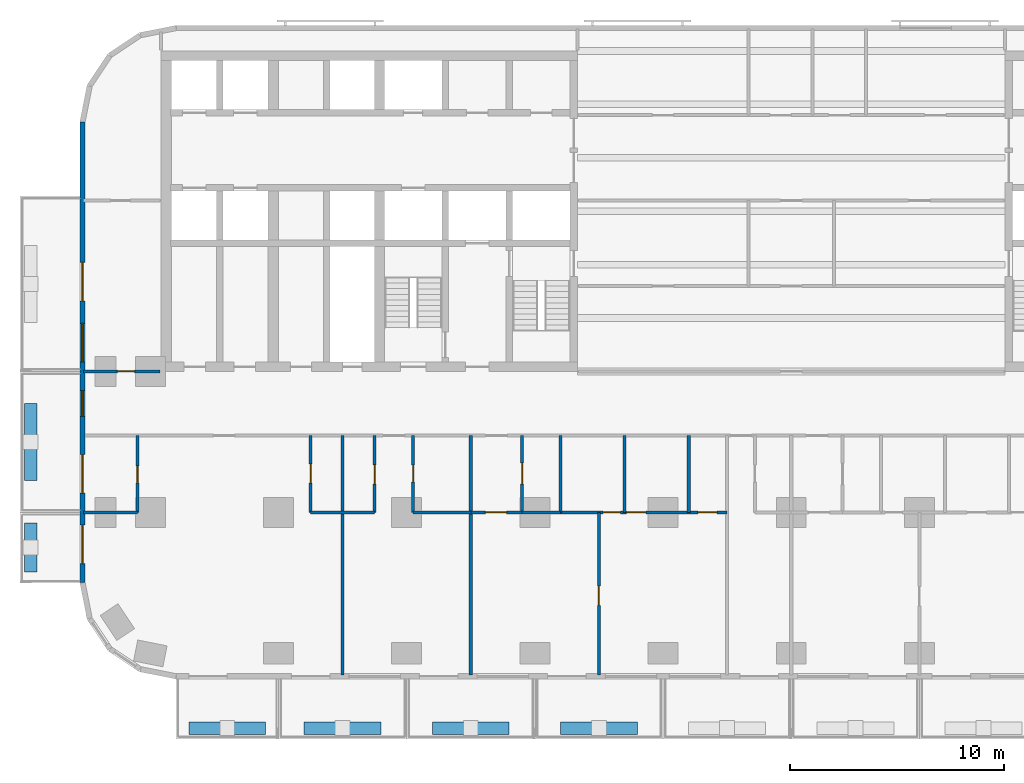
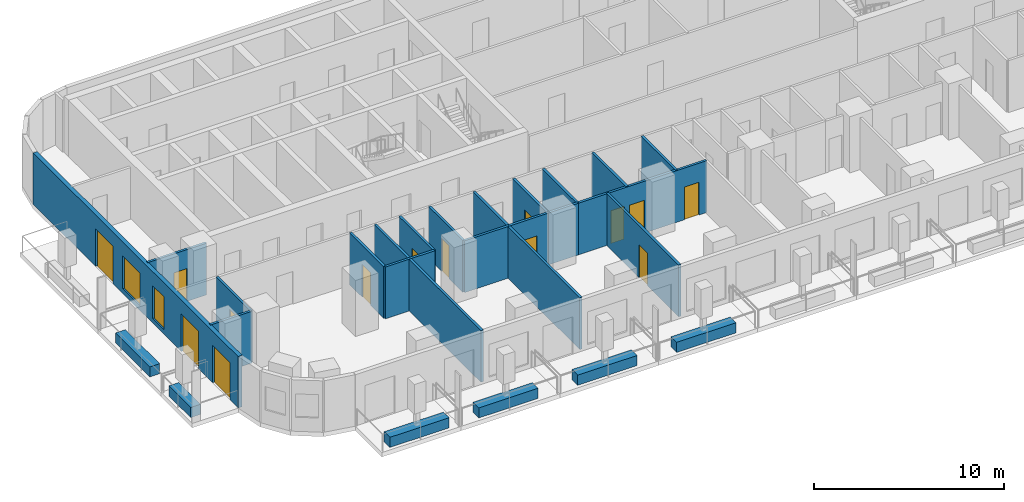
# One storey, part 2 of 14: 26 walls, 14 doors, 2 windows, 16 openings.
"""IFC4 building model written with IfcOpenShell, lengths in metres."""

import ifcopenshell
import ifcopenshell.guid

model = None  # the IFC model being written
_history = None  # IfcOwnerHistory: only IFC2X3 demands one
_inside = {}  # id of a spatial element -> (the spatial element, [elements in it])
_under = {}  # id of a project, library or spatial element -> (it, [spatial elements below it])
_declared = {}  # id of a project -> (the project, [libraries it declares])
_typed = {}  # id of a type object -> (the type object, [elements of that type])
_made_of = {}  # id of a material, layer set ... -> (it, [elements and type objects made of it])


def new_model(schema):
    """Start an empty IFC model of exactly this schema.

    Asked for "IFC4X3", IfcOpenShell would pick the latest addendum, in which some entities
    have other attributes; the version numbers below select the first issue.
    IFC2X3 requires an IfcOwnerHistory on every rooted entity: one is made here for all.
    """
    global model, _history
    if schema == "IFC4X3":
        model = ifcopenshell.file(schema_version=(4, 3, 0, 0))
    else:
        model = ifcopenshell.file(schema=schema)
    _inside.clear()
    _under.clear()
    _declared.clear()
    _typed.clear()
    _made_of.clear()
    _history = None
    if model.schema == "IFC2X3":
        org = make("IfcOrganization", Name="unknown")
        user = make(
            "IfcPersonAndOrganization",
            ThePerson=make("IfcPerson", FamilyName="unknown"),
            TheOrganization=org,
        )
        app = make(
            "IfcApplication",
            ApplicationDeveloper=org,
            Version="unknown",
            ApplicationFullName="unknown",
            ApplicationIdentifier="unknown",
        )
        _history = make(
            "IfcOwnerHistory",
            OwningUser=user,
            OwningApplication=app,
            ChangeAction="ADDED",
            CreationDate=0,
        )
    return model


def make(cls, **values):
    """One entity of the class cls with the attributes given. An attribute that is None is left unset."""
    return model.create_entity(
        cls, **{name: value for name, value in values.items() if value is not None}
    )


def rooted(cls, **values):
    """An entity with a GlobalId (a new one), such as an element, a storey or a relation."""
    return make(cls, GlobalId=ifcopenshell.guid.new(), OwnerHistory=_history, **values)


def si_unit(unit_type, name, prefix=None):
    """IfcSIUnit, for example si_unit("LENGTHUNIT", "METRE", prefix="MILLI")."""
    return make("IfcSIUnit", UnitType=unit_type, Prefix=prefix, Name=name)


def assignment(units):
    """IfcUnitAssignment: the units of a project."""
    return None if units is None else make("IfcUnitAssignment", Units=units)


def point(xyz):
    """IfcCartesianPoint."""
    return None if xyz is None else make("IfcCartesianPoint", Coordinates=xyz)


def direction(xyz):
    """IfcDirection."""
    return None if xyz is None else make("IfcDirection", DirectionRatios=xyz)


def frame(location, z_axis=None, x_axis=None):
    """IfcAxis2Placement3D, a coordinate frame: its origin and axes. An axis left out is left unset."""
    return make(
        "IfcAxis2Placement3D",
        Location=point(location),
        Axis=direction(z_axis),
        RefDirection=direction(x_axis),
    )


def frame_2d(location, x_axis=None):
    """IfcAxis2Placement2D, a coordinate frame in the plane: its origin and x axis."""
    return make(
        "IfcAxis2Placement2D", Location=point(location), RefDirection=direction(x_axis)
    )


def origin():
    """The frame at (0, 0, 0) with its axes left unset."""
    return frame((0.0, 0.0, 0.0))


def place(relative_to, where):
    """IfcLocalPlacement: puts the frame where relative to a parent placement (None: the world)."""
    return make(
        "IfcLocalPlacement", PlacementRelTo=relative_to, RelativePlacement=where
    )


def context(
    kind, dimensions, precision=None, world=None, true_north=None, identifier=None
):
    """IfcGeometricRepresentationContext, for example the 3D "Model" context."""
    return make(
        "IfcGeometricRepresentationContext",
        ContextIdentifier=identifier,
        ContextType=kind,
        CoordinateSpaceDimension=dimensions,
        Precision=precision,
        WorldCoordinateSystem=world,
        TrueNorth=true_north,
    )


def subcontext(parent, identifier, kind, view, scale=None):
    """IfcGeometricRepresentationSubContext, for example "Body" below "Model"."""
    return make(
        "IfcGeometricRepresentationSubContext",
        ContextIdentifier=identifier,
        ContextType=kind,
        ParentContext=parent,
        TargetScale=scale,
        TargetView=view,
    )


def project(units=None, contexts=None):
    """IfcProject with its units and contexts."""
    return rooted(
        "IfcProject",
        Name="project",
        RepresentationContexts=contexts,
        UnitsInContext=assignment(units),
    )


def spatial(cls, under=None, at=None, **own):
    """A site, building, storey or space (cls), placed at a placement, below another one or the project."""
    s = rooted(cls, ObjectPlacement=at, **own)
    if under is not None:
        _under.setdefault(under.id(), (under, []))[1].append(s)
    return s


def profile(cls, at=None, kind="AREA", **sizes):
    """A parametric profile (cls). Its sizes go by their IFC names, for example OverallWidth=200.0."""
    return make(cls, ProfileType=kind, Position=at, **sizes)


def rectangle(**sizes):
    """IfcRectangleProfileDef."""
    return profile("IfcRectangleProfileDef", **sizes)


def extrude(swept, where, along, depth):
    """IfcExtrudedAreaSolid: the profile swept, set in the frame where, extruded along a direction by depth."""
    return make(
        "IfcExtrudedAreaSolid",
        SweptArea=swept,
        Position=where,
        ExtrudedDirection=direction(along),
        Depth=depth,
    )


def shape(context_of_items, identifier, shape_type, items):
    """IfcShapeRepresentation: the items that make up one representation, for example the "Body"."""
    return make(
        "IfcShapeRepresentation",
        ContextOfItems=context_of_items,
        RepresentationIdentifier=identifier,
        RepresentationType=shape_type,
        Items=items,
    )


def material(Name=None, Category=None):
    """IfcMaterial."""
    return make("IfcMaterial", Name=Name, Category=Category)


def layer(
    of_material, thickness, ventilated=None, Name=None, Category=None, Priority=None
):
    """IfcMaterialLayer: one layer of a wall or slab, of a material (None: an air gap)."""
    return make(
        "IfcMaterialLayer",
        Material=of_material,
        LayerThickness=thickness,
        IsVentilated=ventilated,
        Name=Name,
        Category=Category,
        Priority=Priority,
    )


def layer_set(layers, Name=None):
    """IfcMaterialLayerSet."""
    return make("IfcMaterialLayerSet", MaterialLayers=layers, LayerSetName=Name)


def made_of(thing, what):
    """Note that an element or type object is made of a material, layer set ...; save() writes the relation."""
    if what is not None:
        _made_of.setdefault(what.id(), (what, []))[1].append(thing)
    return thing


def type_object(cls, material=None, **own):
    """A type object (cls), such as IfcWallType, which elements share."""
    return made_of(rooted(cls, **own), material)


def element(
    cls,
    number,
    at=None,
    inside=None,
    cuts=None,
    type_object=None,
    material=None,
    context=None,
    identifier="Body",
    shape_type=None,
    held_by="IfcProductDefinitionShape",
    body=None,
    shapes=None,
    **own,
):
    """One element of the class cls, such as IfcWall. Its Tag is "e" and its number.

    at: its placement. inside: the storey or other place that contains it. cuts: it is an
    opening in that element (IfcRelVoidsElement). A single representation is given by context,
    identifier, shape_type and body (its items); several are given by shapes. held_by: the class
    of the entity that holds the representations. save() writes the other relations.
    """
    e = rooted(cls, Tag="e%d" % number, ObjectPlacement=at, **own)
    if body is not None:
        shapes = [shape(context, identifier, shape_type, body)]
    if shapes is not None:
        e.Representation = make(held_by, Representations=shapes)
    if inside is not None:
        _inside.setdefault(inside.id(), (inside, []))[1].append(e)
    if cuts is not None:
        rooted(
            "IfcRelVoidsElement", RelatingBuildingElement=cuts, RelatedOpeningElement=e
        )
    if type_object is not None:
        _typed.setdefault(type_object.id(), (type_object, []))[1].append(e)
    return made_of(e, material)


def fill(opening, filler):
    """IfcRelFillsElement: the door or window that sits in an opening."""
    return rooted(
        "IfcRelFillsElement",
        RelatingOpeningElement=opening,
        RelatedBuildingElement=filler,
    )


def aggregate(whole, parts):
    """IfcRelAggregates: a whole, such as a stair, and the parts it consists of."""
    return rooted("IfcRelAggregates", RelatingObject=whole, RelatedObjects=parts)


def save(model, path):
    """Write the relations noted so far, then the file.

    IfcRelAggregates (storeys below a building ...), IfcRelContainedInSpatialStructure (elements
    in a storey), IfcRelDefinesByType, IfcRelAssociatesMaterial and IfcRelDeclares: one each for
    every whole, place, type object, material and project.
    """
    for whole, parts in _under.values():
        aggregate(whole, parts)
    for where, things in _inside.values():
        rooted(
            "IfcRelContainedInSpatialStructure",
            RelatedElements=things,
            RelatingStructure=where,
        )
    for kind, things in _typed.values():
        rooted("IfcRelDefinesByType", RelatedObjects=things, RelatingType=kind)
    for what, things in _made_of.values():
        rooted("IfcRelAssociatesMaterial", RelatedObjects=things, RelatingMaterial=what)
    for by, libraries in _declared.values():
        rooted("IfcRelDeclares", RelatingContext=by, RelatedDefinitions=libraries)
    model.write(path)


model = new_model("IFC4")

# Units and contexts
model_context = context("Model", 3, precision=1e-05, world=origin(), true_north=direction((0.0, 1.0)))
body_context = subcontext(model_context, "Body", "Model", "MODEL_VIEW")
ifc_project = project(units=[si_unit("LENGTHUNIT", "METRE"), si_unit("AREAUNIT", "SQUARE_METRE"), si_unit("VOLUMEUNIT", "CUBIC_METRE"), si_unit("PLANEANGLEUNIT", "RADIAN"), si_unit("MASSUNIT", "GRAM", prefix="KILO")], contexts=[model_context])

# Site, building, storey
site_placement = place(None, origin())
site = spatial("IfcSite", under=ifc_project, at=site_placement, CompositionType="ELEMENT")
building_placement = place(site_placement, origin())
building = spatial("IfcBuilding", under=site, at=building_placement, Name="Torana Hotel and Residences", CompositionType="ELEMENT")
storey_placement = place(building_placement, frame((0.0, 0.0, 103.199951171875)))
storey = spatial("IfcBuildingStorey", under=building, at=storey_placement, Name="L26", CompositionType="ELEMENT", Elevation=103.199951171875)

# Wall, openings, doors, windows
ifc_material_1 = material(Name="Black aluminium composite panel", Category="aluminium")
ifc_layer_1 = layer(ifc_material_1, 0.00390625, Name="Cladding", Category="cladding")
ifc_material_2 = material(Name="Ventilated air cavity")
ifc_layer_2 = layer(ifc_material_2, 0.0400390625, Name="Ventilated cavity", Category="cavity")
ifc_material_3 = material(Name="Mineral wool insulation")
ifc_layer_3 = layer(ifc_material_3, 0.090087890625, Name="Insulation", Category="insulation")
ifc_material_4 = material(Name="Steel S280GD", Category="steel")
ifc_layer_4 = layer(ifc_material_4, 0.092041015625, Name="Steel stud frame", Category="structure")
ifc_material_5 = material(Name="Fire rated plasterboard")
ifc_layer_5 = layer(ifc_material_5, 0.011962890625, Name="Inner board", Category="finish")
ifc_layer_6 = layer(ifc_material_5, 0.011962890625, Name="Second board", Category="finish")
ifc_layer_set_1 = layer_set([ifc_layer_1, ifc_layer_2, ifc_layer_3, ifc_layer_4, ifc_layer_5, ifc_layer_6], Name="EW1 EXTERNAL WALL BLACK METAL CLAD 250")
wall_type_1 = type_object("IfcWallType", Name="EW1 EXTERNAL WALL BLACK METAL CLAD 250", PredefinedType="SOLIDWALL", material=ifc_layer_set_1)
wall_1_placement = place(storey_placement, frame((-33.175048828125, -3.32470703125, 0.0), z_axis=(0.0, 0.0, 1.0), x_axis=(0.0, -1.0, 0.0)))
wall_1 = element("IfcWall", 1, at=wall_1_placement, inside=storey, type_object=wall_type_1, Name="External wall L26 e0.9", PredefinedType="SOLIDWALL", context=body_context, shape_type="SweptSolid", body=[
    extrude(rectangle(XDim=21.55078125, YDim=0.25, at=frame_2d((10.775390625, 0.0))), origin(), (0.0, 0.0, 1.0), 3.300048828125),
])
opening_1_placement = place(wall_1_placement, frame((6.575439453125, 0.0, 0.0)))
opening_1 = element("IfcOpeningElement", 2, at=opening_1_placement, cuts=wall_1, Name="Opening L26-E14", PredefinedType="OPENING", context=body_context, shape_type="SweptSolid", body=[
    extrude(rectangle(XDim=1.800048828125, YDim=2.39990234375, at=frame_2d((0.89990234375, 1.199951171875))), frame((0.0, 0.135009765625, 0.0), z_axis=(0.0, -1.0, 0.0), x_axis=(1.0, 0.0, 0.0)), (0.0, 0.0, 1.0), 0.27001953125),
])
opening_2_placement = place(wall_1_placement, frame((9.42529296875, 0.0, 0.300048828125)))
opening_2 = element("IfcOpeningElement", 3, at=opening_2_placement, cuts=wall_1, Name="Opening W2", PredefinedType="OPENING", context=body_context, shape_type="SweptSolid", body=[
    extrude(rectangle(XDim=1.800048828125, YDim=2.10009765625, at=frame_2d((0.89990234375, 1.050048828125))), frame((0.0, 0.135009765625, 0.0), z_axis=(0.0, -1.0, 0.0), x_axis=(1.0, 0.0, 0.0)), (0.0, 0.0, 1.0), 0.27001953125),
])
opening_3_placement = place(wall_1_placement, frame((12.575439453125, 0.0, 0.300048828125)))
opening_3 = element("IfcOpeningElement", 4, at=opening_3_placement, cuts=wall_1, Name="Opening W7", PredefinedType="OPENING", context=body_context, shape_type="SweptSolid", body=[
    extrude(rectangle(XDim=1.199951171875, YDim=2.10009765625, at=frame_2d((0.60009765625, 1.050048828125))), frame((0.0, 0.135009765625, 0.0), z_axis=(0.0, -1.0, 0.0), x_axis=(1.0, 0.0, 0.0)), (0.0, 0.0, 1.0), 0.27001953125),
])
opening_4_placement = place(wall_1_placement, frame((15.575439453125, 0.0, 0.0)))
opening_4 = element("IfcOpeningElement", 5, at=opening_4_placement, cuts=wall_1, Name="Opening L26-E15", PredefinedType="OPENING", context=body_context, shape_type="SweptSolid", body=[
    extrude(rectangle(XDim=1.800048828125, YDim=2.39990234375, at=frame_2d((0.89990234375, 1.199951171875))), frame((0.0, 0.135009765625, 0.0), z_axis=(0.0, -1.0, 0.0), x_axis=(1.0, 0.0, 0.0)), (0.0, 0.0, 1.0), 0.27001953125),
])
opening_5_placement = place(wall_1_placement, frame((18.87548828125, 0.0, 0.0)))
opening_5 = element("IfcOpeningElement", 6, at=opening_5_placement, cuts=wall_1, Name="Opening L26-E16", PredefinedType="OPENING", context=body_context, shape_type="SweptSolid", body=[
    extrude(rectangle(XDim=1.800048828125, YDim=2.39990234375, at=frame_2d((0.89990234375, 1.199951171875))), frame((0.0, 0.135009765625, 0.0), z_axis=(0.0, -1.0, 0.0), x_axis=(1.0, 0.0, 0.0)), (0.0, 0.0, 1.0), 0.27001953125),
])
ifc_material_6 = material(Name="Dark glass in black aluminium frame", Category="aluminium")
door_type_1 = type_object("IfcDoorType", Name="DB1 BALCONY DOOR 1800x2400", OperationType="DOUBLE_DOOR_SINGLE_SWING", PredefinedType="DOOR", material=ifc_material_6)
door_1_placement = place(opening_1_placement, origin())
door_1 = element("IfcDoor", 7, at=door_1_placement, inside=storey, type_object=door_type_1, Name="Balcony door L26", OperationType="DOUBLE_DOOR_SINGLE_SWING", OverallHeight=2.39990234375, OverallWidth=1.800048828125, PredefinedType="DOOR", context=body_context, shape_type="SweptSolid", body=[
    extrude(rectangle(XDim=1.800048828125, YDim=2.39990234375, at=frame_2d((0.89990234375, 1.199951171875))), frame((0.0, 0.02490234375, 0.0), z_axis=(0.0, -1.0, 0.0), x_axis=(1.0, 0.0, 0.0)), (0.0, 0.0, 1.0), 0.050048828125),
])
fill(opening_1, door_1)
door_2_placement = place(opening_4_placement, origin())
door_2 = element("IfcDoor", 8, at=door_2_placement, inside=storey, type_object=door_type_1, Name="Balcony door L26", OperationType="DOUBLE_DOOR_SINGLE_SWING", OverallHeight=2.39990234375, OverallWidth=1.800048828125, PredefinedType="DOOR", context=body_context, shape_type="SweptSolid", body=[
    extrude(rectangle(XDim=1.800048828125, YDim=2.39990234375, at=frame_2d((0.89990234375, 1.199951171875))), frame((0.0, 0.02490234375, 0.0), z_axis=(0.0, -1.0, 0.0), x_axis=(1.0, 0.0, 0.0)), (0.0, 0.0, 1.0), 0.050048828125),
])
fill(opening_4, door_2)
door_3_placement = place(opening_5_placement, frame((0.89990234375, 0.0, 0.0), z_axis=(0.0, 0.0, 1.0), x_axis=(-1.0, 0.0, 0.0)))
door_3 = element("IfcDoor", 9, at=door_3_placement, inside=storey, type_object=door_type_1, Name="Balcony door L26", OperationType="DOUBLE_DOOR_SINGLE_SWING", OverallHeight=2.39990234375, OverallWidth=1.800048828125, PredefinedType="DOOR", context=body_context, shape_type="SweptSolid", body=[
    extrude(rectangle(XDim=1.800048828125, YDim=2.39990234375, at=frame_2d((0.0, 1.199951171875))), frame((0.0, -0.02490234375, 0.0), z_axis=(0.0, 1.0, 0.0), x_axis=(-1.0, 0.0, 0.0)), (0.0, 0.0, 1.0), 0.050048828125),
])
fill(opening_5, door_3)
ifc_material_7 = material(Name="Dark glass in black aluminium frame", Category="aluminium")
window_type_1 = type_object("IfcWindowType", Name="W2 HOTEL ROOM WINDOW NARROW 1800x2100", PartitioningType="SINGLE_PANEL", PredefinedType="WINDOW", material=ifc_material_7)
window_1_placement = place(opening_2_placement, origin())
window_1 = element("IfcWindow", 10, at=window_1_placement, inside=storey, type_object=window_type_1, Name="Window L26", OverallHeight=2.10009765625, OverallWidth=1.800048828125, PartitioningType="SINGLE_PANEL", PredefinedType="WINDOW", context=body_context, shape_type="SweptSolid", body=[
    extrude(rectangle(XDim=1.800048828125, YDim=2.10009765625, at=frame_2d((0.89990234375, 1.050048828125))), frame((0.0, 0.030029296875, 0.0), z_axis=(0.0, -1.0, 0.0), x_axis=(1.0, 0.0, 0.0)), (0.0, 0.0, 1.0), 0.06005859375),
])
fill(opening_2, window_1)
ifc_material_8 = material(Name="Dark glass in black aluminium frame", Category="aluminium")
window_type_2 = type_object("IfcWindowType", Name="W7 HOTEL CORRIDOR WINDOW 1200x2100", PartitioningType="SINGLE_PANEL", PredefinedType="WINDOW", material=ifc_material_8)
window_2_placement = place(opening_3_placement, origin())
window_2 = element("IfcWindow", 11, at=window_2_placement, inside=storey, type_object=window_type_2, Name="Window L26", OverallHeight=2.10009765625, OverallWidth=1.199951171875, PartitioningType="SINGLE_PANEL", PredefinedType="WINDOW", context=body_context, shape_type="SweptSolid", body=[
    extrude(rectangle(XDim=1.199951171875, YDim=2.10009765625, at=frame_2d((0.60009765625, 1.050048828125))), frame((0.0, 0.030029296875, 0.0), z_axis=(0.0, -1.0, 0.0), x_axis=(1.0, 0.0, 0.0)), (0.0, 0.0, 1.0), 0.06005859375),
])
fill(opening_3, window_2)

# Wall, opening, door
ifc_material_9 = material(Name="Gypsum plaster")
ifc_layer_7 = layer(ifc_material_9, 0.014892578125, Name="Plaster", Category="finish")
ifc_material_10 = material(Name="Concrete blockwork", Category="masonry")
ifc_layer_8 = layer(ifc_material_10, 0.1201171875, Name="Blockwork", Category="structure")
ifc_layer_9 = layer(ifc_material_9, 0.014892578125, Name="Plaster", Category="finish")
ifc_layer_set_2 = layer_set([ifc_layer_7, ifc_layer_8, ifc_layer_9], Name="FIRE PARTITION 150 BLOCKWORK")
wall_type_2 = type_object("IfcWallType", Name="FIRE PARTITION 150 BLOCKWORK", PredefinedType="PARTITIONING", material=ifc_layer_set_2)
wall_2_placement = place(storey_placement, frame((-12.60009765625, -21.60009765625, 0.0), z_axis=(0.0, 0.0, 1.0), x_axis=(0.0, 1.0, 0.0)))
wall_2 = element("IfcWall", 12, at=wall_2_placement, inside=storey, type_object=wall_type_2, Name="Partition L26", PredefinedType="PARTITIONING", context=body_context, shape_type="SweptSolid", body=[
    extrude(rectangle(XDim=3.60009765625, YDim=0.14990234375, at=frame_2d((1.800048828125, 0.0))), origin(), (0.0, 0.0, 1.0), 3.320068359375),
])
opening_6_placement = place(wall_2_placement, frame((1.320068359375, 0.0, 0.0)))
opening_6 = element("IfcOpeningElement", 13, at=opening_6_placement, cuts=wall_2, Name="Opening L26-49", PredefinedType="OPENING", context=body_context, shape_type="SweptSolid", body=[
    extrude(rectangle(XDim=1.0, YDim=2.10009765625, at=frame_2d((0.5, 1.050048828125))), frame((0.0, 0.0849609375, 0.0), z_axis=(0.0, -1.0, 0.0), x_axis=(1.0, 0.0, 0.0)), (0.0, 0.0, 1.0), 0.169921875),
])
ifc_material_11 = material(Name="Steel S235", Category="steel")
door_type_2 = type_object("IfcDoorType", Name="ENTRY FIRE DOOR D6 1000x2100", OperationType="SINGLE_SWING_LEFT", PredefinedType="DOOR", material=ifc_material_11)
door_4_placement = place(opening_6_placement, frame((0.5, 0.0, 0.0), z_axis=(0.0, 0.0, 1.0), x_axis=(-1.0, 0.0, 0.0)))
door_4 = element("IfcDoor", 14, at=door_4_placement, inside=storey, type_object=door_type_2, Name="Door L26", OperationType="SINGLE_SWING_LEFT", OverallHeight=2.10009765625, OverallWidth=1.0, PredefinedType="DOOR", context=body_context, shape_type="SweptSolid", body=[
    extrude(rectangle(XDim=1.0, YDim=2.10009765625, at=frame_2d((0.0, 1.050048828125))), frame((0.0, -0.02490234375, 0.0), z_axis=(0.0, 1.0, 0.0), x_axis=(-1.0, 0.0, 0.0)), (0.0, 0.0, 1.0), 0.050048828125),
])
fill(opening_6, door_4)

# Wall
wall_3_placement = place(storey_placement, frame((-15.0, -21.60009765625, 0.0), z_axis=(0.0, 0.0, 1.0), x_axis=(0.0, 1.0, 0.0)))
element("IfcWall", 15, at=wall_3_placement, inside=storey, type_object=wall_type_2, Name="Partition L26", PredefinedType="PARTITIONING", context=body_context, shape_type="SweptSolid", body=[
    extrude(rectangle(XDim=3.60009765625, YDim=0.14990234375, at=frame_2d((1.800048828125, 0.0))), origin(), (0.0, 0.0, 1.0), 3.320068359375),
])

# Wall, opening, door
wall_4_placement = place(storey_placement, frame((-15.0, -21.60009765625, 0.0), z_axis=(0.0, 0.0, 1.0), x_axis=(1.0, 0.0, 0.0)))
wall_4 = element("IfcWall", 16, at=wall_4_placement, inside=storey, type_object=wall_type_2, Name="Partition L26", PredefinedType="PARTITIONING", context=body_context, shape_type="SweptSolid", body=[
    extrude(rectangle(XDim=2.39990234375, YDim=0.14990234375, at=frame_2d((1.199951171875, 0.0))), origin(), (0.0, 0.0, 1.0), 3.320068359375),
])
opening_7_placement = place(wall_4_placement, frame((0.679931640625, 0.0, 0.0)))
opening_7 = element("IfcOpeningElement", 17, at=opening_7_placement, cuts=wall_4, Name="Opening L26-50", PredefinedType="OPENING", context=body_context, shape_type="SweptSolid", body=[
    extrude(rectangle(XDim=1.0, YDim=2.10009765625, at=frame_2d((0.5, 1.050048828125))), frame((0.0, 0.0849609375, 0.0), z_axis=(0.0, -1.0, 0.0), x_axis=(1.0, 0.0, 0.0)), (0.0, 0.0, 1.0), 0.169921875),
])
door_5_placement = place(opening_7_placement, frame((0.5, 0.0, 0.0), z_axis=(0.0, 0.0, 1.0), x_axis=(-1.0, 0.0, 0.0)))
door_5 = element("IfcDoor", 18, at=door_5_placement, inside=storey, type_object=door_type_2, Name="Door L26", OperationType="SINGLE_SWING_LEFT", OverallHeight=2.10009765625, OverallWidth=1.0, PredefinedType="DOOR", context=body_context, shape_type="SweptSolid", body=[
    extrude(rectangle(XDim=1.0, YDim=2.10009765625, at=frame_2d((0.0, 1.050048828125))), frame((0.0, -0.02490234375, 0.0), z_axis=(0.0, 1.0, 0.0), x_axis=(-1.0, 0.0, 0.0)), (0.0, 0.0, 1.0), 0.050048828125),
])
fill(opening_7, door_5)

wall_5_placement = place(storey_placement, frame((-33.1201171875, -15.0, 0.0), z_axis=(0.0, 0.0, 1.0), x_axis=(1.0, 0.0, 0.0)))
wall_5 = element("IfcWall", 19, at=wall_5_placement, inside=storey, type_object=wall_type_2, Name="Partition L26", PredefinedType="PARTITIONING", context=body_context, shape_type="SweptSolid", body=[
    extrude(rectangle(XDim=3.570068359375, YDim=0.14990234375, at=frame_2d((1.78515625, 0.0))), origin(), (0.0, 0.0, 1.0), 3.320068359375),
])
opening_8_placement = place(wall_5_placement, frame((1.580078125, 0.0, 0.0)))
opening_8 = element("IfcOpeningElement", 20, at=opening_8_placement, cuts=wall_5, Name="Opening L26-37", PredefinedType="OPENING", context=body_context, shape_type="SweptSolid", body=[
    extrude(rectangle(XDim=0.800048828125, YDim=2.10009765625, at=frame_2d((0.39990234375, 1.050048828125))), frame((0.0, 0.0849609375, 0.0), z_axis=(0.0, -1.0, 0.0), x_axis=(1.0, 0.0, 0.0)), (0.0, 0.0, 1.0), 0.169921875),
])
ifc_material_12 = material(Name="Steel S235", Category="steel")
door_type_3 = type_object("IfcDoorType", Name="STORE FIRE DOOR D16 800x2100", OperationType="SINGLE_SWING_LEFT", PredefinedType="DOOR", material=ifc_material_12)
door_6_placement = place(opening_8_placement, origin())
door_6 = element("IfcDoor", 21, at=door_6_placement, inside=storey, type_object=door_type_3, Name="Door L26", OperationType="SINGLE_SWING_RIGHT", OverallHeight=2.10009765625, OverallWidth=0.800048828125, PredefinedType="DOOR", context=body_context, shape_type="SweptSolid", body=[
    extrude(rectangle(XDim=0.800048828125, YDim=2.10009765625, at=frame_2d((0.39990234375, 1.050048828125))), frame((0.0, 0.02490234375, 0.0), z_axis=(0.0, -1.0, 0.0), x_axis=(1.0, 0.0, 0.0)), (0.0, 0.0, 1.0), 0.050048828125),
])
fill(opening_8, door_6)

# Walls
ifc_material_13 = material(Name="Gypsum plasterboard")
ifc_layer_10 = layer(ifc_material_13, 0.012451171875, Name="Plasterboard", Category="finish")
ifc_layer_11 = layer(ifc_material_13, 0.012451171875, Name="Plasterboard", Category="finish")
ifc_layer_12 = layer(ifc_material_4, 0.10009765625, Name="Steel studs with mineral wool", Category="insulation")
ifc_layer_13 = layer(ifc_material_13, 0.012451171875, Name="Plasterboard", Category="finish")
ifc_layer_14 = layer(ifc_material_13, 0.012451171875, Name="Plasterboard", Category="finish")
ifc_layer_set_3 = layer_set([ifc_layer_10, ifc_layer_11, ifc_layer_12, ifc_layer_13, ifc_layer_14], Name="PARTITION 150 PLASTERBOARD")
wall_type_3 = type_object("IfcWallType", Name="PARTITION 150 PLASTERBOARD", PredefinedType="PARTITIONING", material=ifc_layer_set_3)
for number, where, z_axis, x_axis, name in (
    (22, (-4.800048828125, -21.60009765625, 0.0), (0.0, 0.0, 1.0), (0.0, 1.0, 0.0), "Partition L26"),
    (23, (-7.800048828125, -21.60009765625, 0.0), (0.0, 0.0, 1.0), (0.0, 1.0, 0.0), "Partition L26"),
):
    element("IfcWall", number, at=place(storey_placement, frame(where, z_axis=z_axis, x_axis=x_axis)), inside=storey, type_object=wall_type_3, Name=name, PredefinedType="PARTITIONING", context=body_context, shape_type="SweptSolid", body=[
        extrude(rectangle(XDim=3.60009765625, YDim=0.14990234375, at=frame_2d((1.800048828125, 0.0))), origin(), (0.0, 0.0, 1.0), 3.320068359375),
    ])

# Wall, opening, door
wall_6_placement = place(storey_placement, frame((-9.0, -29.219970703125, 0.0), z_axis=(0.0, 0.0, 1.0), x_axis=(0.0, 1.0, 0.0)))
wall_6 = element("IfcWall", 24, at=wall_6_placement, inside=storey, type_object=wall_type_3, Name="Partition L26", PredefinedType="PARTITIONING", context=body_context, shape_type="SweptSolid", body=[
    extrude(rectangle(XDim=7.619873046875, YDim=0.14990234375, at=frame_2d((3.81005859375, 0.0))), origin(), (0.0, 0.0, 1.0), 3.320068359375),
])
opening_9_placement = place(wall_6_placement, frame((3.27001953125, 0.0, 0.0)))
opening_9 = element("IfcOpeningElement", 25, at=opening_9_placement, cuts=wall_6, Name="Opening L26-54", PredefinedType="OPENING", context=body_context, shape_type="SweptSolid", body=[
    extrude(rectangle(XDim=0.89990234375, YDim=2.10009765625, at=frame_2d((0.449951171875, 1.050048828125))), frame((0.0, 0.0849609375, 0.0), z_axis=(0.0, -1.0, 0.0), x_axis=(1.0, 0.0, 0.0)), (0.0, 0.0, 1.0), 0.169921875),
])
ifc_material_14 = material(Name="Timber door, oiled ash", Category="wood")
door_type_4 = type_object("IfcDoorType", Name="ROOM DOOR D7 900x2100", OperationType="SINGLE_SWING_LEFT", PredefinedType="DOOR", material=ifc_material_14)
door_7_placement = place(opening_9_placement, origin())
door_7 = element("IfcDoor", 26, at=door_7_placement, inside=storey, type_object=door_type_4, Name="Door L26", OperationType="SINGLE_SWING_RIGHT", OverallHeight=2.10009765625, OverallWidth=0.89990234375, PredefinedType="DOOR", context=body_context, shape_type="SweptSolid", body=[
    extrude(rectangle(XDim=0.89990234375, YDim=2.10009765625, at=frame_2d((0.449951171875, 1.050048828125))), frame((0.0, 0.02490234375, 0.0), z_axis=(0.0, -1.0, 0.0), x_axis=(1.0, 0.0, 0.0)), (0.0, 0.0, 1.0), 0.050048828125),
])
fill(opening_9, door_7)

# Wall
wall_7_placement = place(storey_placement, frame((-15.0, -29.219970703125, 0.0), z_axis=(0.0, 0.0, 1.0), x_axis=(0.0, 1.0, 0.0)))
element("IfcWall", 27, at=wall_7_placement, inside=storey, type_object=wall_type_3, Name="Partition L26", PredefinedType="PARTITIONING", context=body_context, shape_type="SweptSolid", body=[
    extrude(rectangle(XDim=7.619873046875, YDim=0.14990234375, at=frame_2d((3.81005859375, 0.0))), origin(), (0.0, 0.0, 1.0), 3.320068359375),
])

# Wall, opening, door
wall_8_placement = place(storey_placement, frame((-17.699951171875, -21.60009765625, 0.0), z_axis=(0.0, 0.0, 1.0), x_axis=(0.0, 1.0, 0.0)))
wall_8 = element("IfcWall", 28, at=wall_8_placement, inside=storey, type_object=wall_type_3, Name="Partition L26", PredefinedType="PARTITIONING", context=body_context, shape_type="SweptSolid", body=[
    extrude(rectangle(XDim=3.60009765625, YDim=0.14990234375, at=frame_2d((1.800048828125, 0.0))), origin(), (0.0, 0.0, 1.0), 3.320068359375),
])
opening_10_placement = place(wall_8_placement, frame((1.419921875, 0.0, 0.0)))
opening_10 = element("IfcOpeningElement", 29, at=opening_10_placement, cuts=wall_8, Name="Opening L26-48", PredefinedType="OPENING", context=body_context, shape_type="SweptSolid", body=[
    extrude(rectangle(XDim=0.800048828125, YDim=2.10009765625, at=frame_2d((0.39990234375, 1.050048828125))), frame((0.0, 0.0849609375, 0.0), z_axis=(0.0, -1.0, 0.0), x_axis=(1.0, 0.0, 0.0)), (0.0, 0.0, 1.0), 0.169921875),
])
ifc_material_15 = material(Name="Timber door, painted", Category="wood")
door_type_5 = type_object("IfcDoorType", Name="BATH DOOR D13 800x2100", OperationType="SINGLE_SWING_LEFT", PredefinedType="DOOR", material=ifc_material_15)
door_8_placement = place(opening_10_placement, origin())
door_8 = element("IfcDoor", 30, at=door_8_placement, inside=storey, type_object=door_type_5, Name="Door L26", OperationType="SINGLE_SWING_RIGHT", OverallHeight=2.10009765625, OverallWidth=0.800048828125, PredefinedType="DOOR", context=body_context, shape_type="SweptSolid", body=[
    extrude(rectangle(XDim=0.800048828125, YDim=2.10009765625, at=frame_2d((0.39990234375, 1.050048828125))), frame((0.0, 0.02490234375, 0.0), z_axis=(0.0, -1.0, 0.0), x_axis=(1.0, 0.0, 0.0)), (0.0, 0.0, 1.0), 0.050048828125),
])
fill(opening_10, door_8)

wall_9_placement = place(storey_placement, frame((-19.5, -21.60009765625, 0.0), z_axis=(0.0, 0.0, 1.0), x_axis=(0.0, 1.0, 0.0)))
wall_9 = element("IfcWall", 31, at=wall_9_placement, inside=storey, type_object=wall_type_3, Name="Partition L26", PredefinedType="PARTITIONING", context=body_context, shape_type="SweptSolid", body=[
    extrude(rectangle(XDim=3.60009765625, YDim=0.14990234375, at=frame_2d((1.800048828125, 0.0))), origin(), (0.0, 0.0, 1.0), 3.320068359375),
])
opening_11_placement = place(wall_9_placement, frame((1.330078125, 0.0, 0.0)))
opening_11 = element("IfcOpeningElement", 32, at=opening_11_placement, cuts=wall_9, Name="Opening L26-47", PredefinedType="OPENING", context=body_context, shape_type="SweptSolid", body=[
    extrude(rectangle(XDim=0.89990234375, YDim=2.10009765625, at=frame_2d((0.449951171875, 1.050048828125))), frame((0.0, 0.0849609375, 0.0), z_axis=(0.0, -1.0, 0.0), x_axis=(1.0, 0.0, 0.0)), (0.0, 0.0, 1.0), 0.169921875),
])
door_9_placement = place(opening_11_placement, origin())
door_9 = element("IfcDoor", 33, at=door_9_placement, inside=storey, type_object=door_type_4, Name="Door L26", OperationType="SINGLE_SWING_RIGHT", OverallHeight=2.10009765625, OverallWidth=0.89990234375, PredefinedType="DOOR", context=body_context, shape_type="SweptSolid", body=[
    extrude(rectangle(XDim=0.89990234375, YDim=2.10009765625, at=frame_2d((0.449951171875, 1.050048828125))), frame((0.0, 0.02490234375, 0.0), z_axis=(0.0, -1.0, 0.0), x_axis=(1.0, 0.0, 0.0)), (0.0, 0.0, 1.0), 0.050048828125),
])
fill(opening_11, door_9)

# Wall
wall_10_placement = place(storey_placement, frame((-21.0, -29.219970703125, 0.0), z_axis=(0.0, 0.0, 1.0), x_axis=(0.0, 1.0, 0.0)))
element("IfcWall", 34, at=wall_10_placement, inside=storey, type_object=wall_type_3, Name="Partition L26", PredefinedType="PARTITIONING", context=body_context, shape_type="SweptSolid", body=[
    extrude(rectangle(XDim=11.219970703125, YDim=0.14990234375, at=frame_2d((5.60986328125, 0.0))), origin(), (0.0, 0.0, 1.0), 3.320068359375),
])

# Wall, opening, door
wall_11_placement = place(storey_placement, frame((-22.5, -21.60009765625, 0.0), z_axis=(0.0, 0.0, 1.0), x_axis=(0.0, 1.0, 0.0)))
wall_11 = element("IfcWall", 35, at=wall_11_placement, inside=storey, type_object=wall_type_3, Name="Partition L26", PredefinedType="PARTITIONING", context=body_context, shape_type="SweptSolid", body=[
    extrude(rectangle(XDim=3.60009765625, YDim=0.14990234375, at=frame_2d((1.800048828125, 0.0))), origin(), (0.0, 0.0, 1.0), 3.320068359375),
])
opening_12_placement = place(wall_11_placement, frame((1.3701171875, 0.0, 0.0)))
opening_12 = element("IfcOpeningElement", 36, at=opening_12_placement, cuts=wall_11, Name="Opening L26-63", PredefinedType="OPENING", context=body_context, shape_type="SweptSolid", body=[
    extrude(rectangle(XDim=0.89990234375, YDim=2.10009765625, at=frame_2d((0.449951171875, 1.050048828125))), frame((0.0, 0.0849609375, 0.0), z_axis=(0.0, -1.0, 0.0), x_axis=(1.0, 0.0, 0.0)), (0.0, 0.0, 1.0), 0.169921875),
])
door_10_placement = place(opening_12_placement, origin())
door_10 = element("IfcDoor", 37, at=door_10_placement, inside=storey, type_object=door_type_4, Name="Door L26", OperationType="SINGLE_SWING_LEFT", OverallHeight=2.10009765625, OverallWidth=0.89990234375, PredefinedType="DOOR", context=body_context, shape_type="SweptSolid", body=[
    extrude(rectangle(XDim=0.89990234375, YDim=2.10009765625, at=frame_2d((0.449951171875, 1.050048828125))), frame((0.0, 0.02490234375, 0.0), z_axis=(0.0, -1.0, 0.0), x_axis=(1.0, 0.0, 0.0)), (0.0, 0.0, 1.0), 0.050048828125),
])
fill(opening_12, door_10)

wall_12_placement = place(storey_placement, frame((-30.60009765625, -21.60009765625, 0.0), z_axis=(0.0, 0.0, 1.0), x_axis=(0.0, 1.0, 0.0)))
wall_12 = element("IfcWall", 38, at=wall_12_placement, inside=storey, type_object=wall_type_3, Name="Partition L26", PredefinedType="PARTITIONING", context=body_context, shape_type="SweptSolid", body=[
    extrude(rectangle(XDim=3.60009765625, YDim=0.14990234375, at=frame_2d((1.800048828125, 0.0))), origin(), (0.0, 0.0, 1.0), 3.320068359375),
])
opening_13_placement = place(wall_12_placement, frame((1.3798828125, 0.0, 0.0)))
opening_13 = element("IfcOpeningElement", 39, at=opening_13_placement, cuts=wall_12, Name="Opening L26-64", PredefinedType="OPENING", context=body_context, shape_type="SweptSolid", body=[
    extrude(rectangle(XDim=0.800048828125, YDim=2.10009765625, at=frame_2d((0.39990234375, 1.050048828125))), frame((0.0, 0.0849609375, 0.0), z_axis=(0.0, -1.0, 0.0), x_axis=(1.0, 0.0, 0.0)), (0.0, 0.0, 1.0), 0.169921875),
])
door_11_placement = place(opening_13_placement, origin())
door_11 = element("IfcDoor", 40, at=door_11_placement, inside=storey, type_object=door_type_5, Name="Door L26", OperationType="SINGLE_SWING_RIGHT", OverallHeight=2.10009765625, OverallWidth=0.800048828125, PredefinedType="DOOR", context=body_context, shape_type="SweptSolid", body=[
    extrude(rectangle(XDim=0.800048828125, YDim=2.10009765625, at=frame_2d((0.39990234375, 1.050048828125))), frame((0.0, 0.02490234375, 0.0), z_axis=(0.0, -1.0, 0.0), x_axis=(1.0, 0.0, 0.0)), (0.0, 0.0, 1.0), 0.050048828125),
])
fill(opening_13, door_11)

# Walls
wall_13_placement = place(storey_placement, frame((-33.1201171875, -21.60009765625, 0.0), z_axis=(0.0, 0.0, 1.0), x_axis=(1.0, 0.0, 0.0)))
element("IfcWall", 41, at=wall_13_placement, inside=storey, type_object=wall_type_3, Name="Partition L26", PredefinedType="PARTITIONING", context=body_context, shape_type="SweptSolid", body=[
    extrude(rectangle(XDim=2.52001953125, YDim=0.14990234375, at=frame_2d((1.260009765625, 0.0))), origin(), (0.0, 0.0, 1.0), 3.320068359375),
])
wall_14_placement = place(storey_placement, frame((-22.5, -21.60009765625, 0.0), z_axis=(0.0, 0.0, 1.0), x_axis=(1.0, 0.0, 0.0)))
element("IfcWall", 42, at=wall_14_placement, inside=storey, type_object=wall_type_3, Name="Partition L26", PredefinedType="PARTITIONING", context=body_context, shape_type="SweptSolid", body=[
    extrude(rectangle(XDim=3.0, YDim=0.14990234375, at=frame_2d((1.5, 0.0))), origin(), (0.0, 0.0, 1.0), 3.320068359375),
])
wall_15_placement = place(storey_placement, frame((-17.699951171875, -21.60009765625, 0.0), z_axis=(0.0, 0.0, 1.0), x_axis=(1.0, 0.0, 0.0)))
element("IfcWall", 43, at=wall_15_placement, inside=storey, type_object=wall_type_3, Name="Partition L26", PredefinedType="PARTITIONING", context=body_context, shape_type="SweptSolid", body=[
    extrude(rectangle(XDim=2.699951171875, YDim=0.14990234375, at=frame_2d((1.35009765625, 0.0))), origin(), (0.0, 0.0, 1.0), 3.320068359375),
])

# Wall, openings, doors
wall_16_placement = place(storey_placement, frame((-10.800048828125, -21.60009765625, 0.0), z_axis=(0.0, 0.0, 1.0), x_axis=(1.0, 0.0, 0.0)))
wall_16 = element("IfcWall", 44, at=wall_16_placement, inside=storey, type_object=wall_type_3, Name="Partition L26", PredefinedType="PARTITIONING", context=body_context, shape_type="SweptSolid", body=[
    extrude(rectangle(XDim=7.800048828125, YDim=0.14990234375, at=frame_2d((3.89990234375, 0.0))), origin(), (0.0, 0.0, 1.0), 3.320068359375),
])
opening_14_placement = place(wall_16_placement, frame((1.9990234375, 0.0, 0.0)))
opening_14 = element("IfcOpeningElement", 45, at=opening_14_placement, cuts=wall_16, Name="Opening L26-51", PredefinedType="OPENING", context=body_context, shape_type="SweptSolid", body=[
    extrude(rectangle(XDim=0.800048828125, YDim=2.10009765625, at=frame_2d((0.39990234375, 1.050048828125))), frame((0.0, 0.0849609375, 0.0), z_axis=(0.0, -1.0, 0.0), x_axis=(1.0, 0.0, 0.0)), (0.0, 0.0, 1.0), 0.169921875),
])
opening_15_placement = place(wall_16_placement, frame((3.10009765625, 0.0, 0.0)))
opening_15 = element("IfcOpeningElement", 46, at=opening_15_placement, cuts=wall_16, Name="Opening L26-52", PredefinedType="OPENING", context=body_context, shape_type="SweptSolid", body=[
    extrude(rectangle(XDim=0.89990234375, YDim=2.10009765625, at=frame_2d((0.449951171875, 1.050048828125))), frame((0.0, 0.0849609375, 0.0), z_axis=(0.0, -1.0, 0.0), x_axis=(1.0, 0.0, 0.0)), (0.0, 0.0, 1.0), 0.169921875),
])
opening_16_placement = place(wall_16_placement, frame((6.429931640625, 0.0, 0.0)))
opening_16 = element("IfcOpeningElement", 47, at=opening_16_placement, cuts=wall_16, Name="Opening L26-53", PredefinedType="OPENING", context=body_context, shape_type="SweptSolid", body=[
    extrude(rectangle(XDim=0.89990234375, YDim=2.10009765625, at=frame_2d((0.449951171875, 1.050048828125))), frame((0.0, 0.0849609375, 0.0), z_axis=(0.0, -1.0, 0.0), x_axis=(1.0, 0.0, 0.0)), (0.0, 0.0, 1.0), 0.169921875),
])
door_12_placement = place(opening_14_placement, origin())
door_12 = element("IfcDoor", 48, at=door_12_placement, inside=storey, type_object=door_type_5, Name="Door L26", OperationType="SINGLE_SWING_LEFT", OverallHeight=2.10009765625, OverallWidth=0.800048828125, PredefinedType="DOOR", context=body_context, shape_type="SweptSolid", body=[
    extrude(rectangle(XDim=0.800048828125, YDim=2.10009765625, at=frame_2d((0.39990234375, 1.050048828125))), frame((0.0, 0.02490234375, 0.0), z_axis=(0.0, -1.0, 0.0), x_axis=(1.0, 0.0, 0.0)), (0.0, 0.0, 1.0), 0.050048828125),
])
fill(opening_14, door_12)
door_13_placement = place(opening_15_placement, frame((0.449951171875, 0.0, 0.0), z_axis=(0.0, 0.0, 1.0), x_axis=(-1.0, 0.0, 0.0)))
door_13 = element("IfcDoor", 49, at=door_13_placement, inside=storey, type_object=door_type_4, Name="Door L26", OperationType="SINGLE_SWING_RIGHT", OverallHeight=2.10009765625, OverallWidth=0.89990234375, PredefinedType="DOOR", context=body_context, shape_type="SweptSolid", body=[
    extrude(rectangle(XDim=0.89990234375, YDim=2.10009765625, at=frame_2d((0.0, 1.050048828125))), frame((0.0, -0.02490234375, 0.0), z_axis=(0.0, 1.0, 0.0), x_axis=(-1.0, 0.0, 0.0)), (0.0, 0.0, 1.0), 0.050048828125),
])
fill(opening_15, door_13)
door_14_placement = place(opening_16_placement, origin())
door_14 = element("IfcDoor", 50, at=door_14_placement, inside=storey, type_object=door_type_4, Name="Door L26", OperationType="SINGLE_SWING_RIGHT", OverallHeight=2.10009765625, OverallWidth=0.89990234375, PredefinedType="DOOR", context=body_context, shape_type="SweptSolid", body=[
    extrude(rectangle(XDim=0.89990234375, YDim=2.10009765625, at=frame_2d((0.449951171875, 1.050048828125))), frame((0.0, 0.02490234375, 0.0), z_axis=(0.0, -1.0, 0.0), x_axis=(1.0, 0.0, 0.0)), (0.0, 0.0, 1.0), 0.050048828125),
])
fill(opening_16, door_14)

# Walls
ifc_material_16 = material(Name="Concrete C40/50 precast", Category="concrete")
ifc_layer_15 = layer(ifc_material_16, 0.10009765625, Name="Planter shell", Category="structure")
ifc_material_17 = material(Name="Root resistant membrane")
ifc_layer_16 = layer(ifc_material_17, 0.00390625, Name="Waterproofing membrane", Category="membrane")
ifc_material_18 = material(Name="Drainage board with filter fleece")
ifc_layer_17 = layer(ifc_material_18, 0.02001953125, Name="Drainage board", Category="drainage")
ifc_material_19 = material(Name="Growing medium")
ifc_layer_18 = layer(ifc_material_19, 0.47607421875, Name="Planting substrate", Category="soil")
ifc_layer_set_4 = layer_set([ifc_layer_15, ifc_layer_16, ifc_layer_17, ifc_layer_18], Name="PL1 BALCONY PLANTER 600")
wall_type_4 = type_object("IfcWallType", Name="PL1 BALCONY PLANTER 600", PredefinedType="USERDEFINED", material=ifc_layer_set_4)
wall_17_placement = place(storey_placement, frame((-24.60009765625, -31.699951171875, 0.0), z_axis=(0.0, 0.0, 1.0), x_axis=(-1.0, 0.0, 0.0)))
element("IfcWall", 51, at=wall_17_placement, inside=storey, type_object=wall_type_4, Name="Planter 01", ObjectType="PLANTER", PredefinedType="USERDEFINED", context=body_context, shape_type="SweptSolid", body=[
    extrude(rectangle(XDim=3.599853515625, YDim=0.60009765625, at=frame_2d((1.7998046875, 0.0))), origin(), (0.0, 0.0, 1.0), 0.650146484375),
])
for number, where, z_axis, x_axis, name in (
    (52, (-19.199951171875, -31.699951171875, 0.0), (0.0, 0.0, 1.0), (-1.0, 0.0, 0.0), "Planter 02"),
    (53, (-13.199951171875, -31.699951171875, 0.0), (0.0, 0.0, 1.0), (-1.0, 0.0, 0.0), "Planter 03"),
    (54, (-7.199951171875, -31.699951171875, 0.0), (0.0, 0.0, 1.0), (-1.0, 0.0, 0.0), "Planter 04"),
):
    element("IfcWall", number, at=place(storey_placement, frame(where, z_axis=z_axis, x_axis=x_axis)), inside=storey, type_object=wall_type_4, Name=name, ObjectType="PLANTER", PredefinedType="USERDEFINED", context=body_context, shape_type="SweptSolid", body=[
        extrude(rectangle(XDim=3.60009765625, YDim=0.60009765625, at=frame_2d((1.800048828125, 0.0))), origin(), (0.0, 0.0, 1.0), 0.650146484375),
    ])
wall_18_placement = place(storey_placement, frame((-35.60009765625, -24.39990234375, 0.0), z_axis=(0.0, 0.0, 1.0), x_axis=(0.0, 1.0, 0.0)))
element("IfcWall", 55, at=wall_18_placement, inside=storey, type_object=wall_type_4, Name="Planter 11", ObjectType="PLANTER", PredefinedType="USERDEFINED", context=body_context, shape_type="SweptSolid", body=[
    extrude(rectangle(XDim=2.2998046875, YDim=0.60009765625, at=frame_2d((1.14990234375, 0.0))), origin(), (0.0, 0.0, 1.0), 0.650146484375),
])
wall_19_placement = place(storey_placement, frame((-35.60009765625, -20.10009765625, 0.0), z_axis=(0.0, 0.0, 1.0), x_axis=(0.0, 1.0, 0.0)))
element("IfcWall", 56, at=wall_19_placement, inside=storey, type_object=wall_type_4, Name="Planter 12", ObjectType="PLANTER", PredefinedType="USERDEFINED", context=body_context, shape_type="SweptSolid", body=[
    extrude(rectangle(XDim=3.60009765625, YDim=0.60009765625, at=frame_2d((1.800048828125, 0.0))), origin(), (0.0, 0.0, 1.0), 0.650146484375),
])
ifc_material_20 = material(Name="Ceramic tile on adhesive")
ifc_layer_19 = layer(ifc_material_20, 0.010009765625, Name="Wall tile", Category="finish")
ifc_material_21 = material(Name="Cement render")
ifc_layer_20 = layer(ifc_material_21, 0.010009765625, Name="Render", Category="finish")
ifc_layer_21 = layer(ifc_material_10, 0.110107421875, Name="Blockwork", Category="structure")
ifc_layer_22 = layer(ifc_material_21, 0.010009765625, Name="Render", Category="finish")
ifc_layer_23 = layer(ifc_material_20, 0.010009765625, Name="Wall tile", Category="finish")
ifc_layer_set_5 = layer_set([ifc_layer_19, ifc_layer_20, ifc_layer_21, ifc_layer_22, ifc_layer_23], Name="WC PARTITION 150")
wall_type_5 = type_object("IfcWallType", Name="WC PARTITION 150", PredefinedType="PLUMBINGWALL", material=ifc_layer_set_5)
wall_20_placement = place(storey_placement, frame((-10.800048828125, -21.60009765625, 0.0), z_axis=(0.0, 0.0, 1.0), x_axis=(0.0, 1.0, 0.0)))
element("IfcWall", 57, at=wall_20_placement, inside=storey, type_object=wall_type_5, Name="Partition L26", PredefinedType="PLUMBINGWALL", context=body_context, shape_type="SweptSolid", body=[
    extrude(rectangle(XDim=3.60009765625, YDim=0.14990234375, at=frame_2d((1.800048828125, 0.0))), origin(), (0.0, 0.0, 1.0), 3.320068359375),
])
wall_21_placement = place(storey_placement, frame((-12.60009765625, -21.60009765625, 0.0), z_axis=(0.0, 0.0, 1.0), x_axis=(1.0, 0.0, 0.0)))
element("IfcWall", 58, at=wall_21_placement, inside=storey, type_object=wall_type_5, Name="Partition L26", PredefinedType="PLUMBINGWALL", context=body_context, shape_type="SweptSolid", body=[
    extrude(rectangle(XDim=1.800048828125, YDim=0.14990234375, at=frame_2d((0.89990234375, 0.0))), origin(), (0.0, 0.0, 1.0), 3.320068359375),
])

save(model, "model.ifc")
